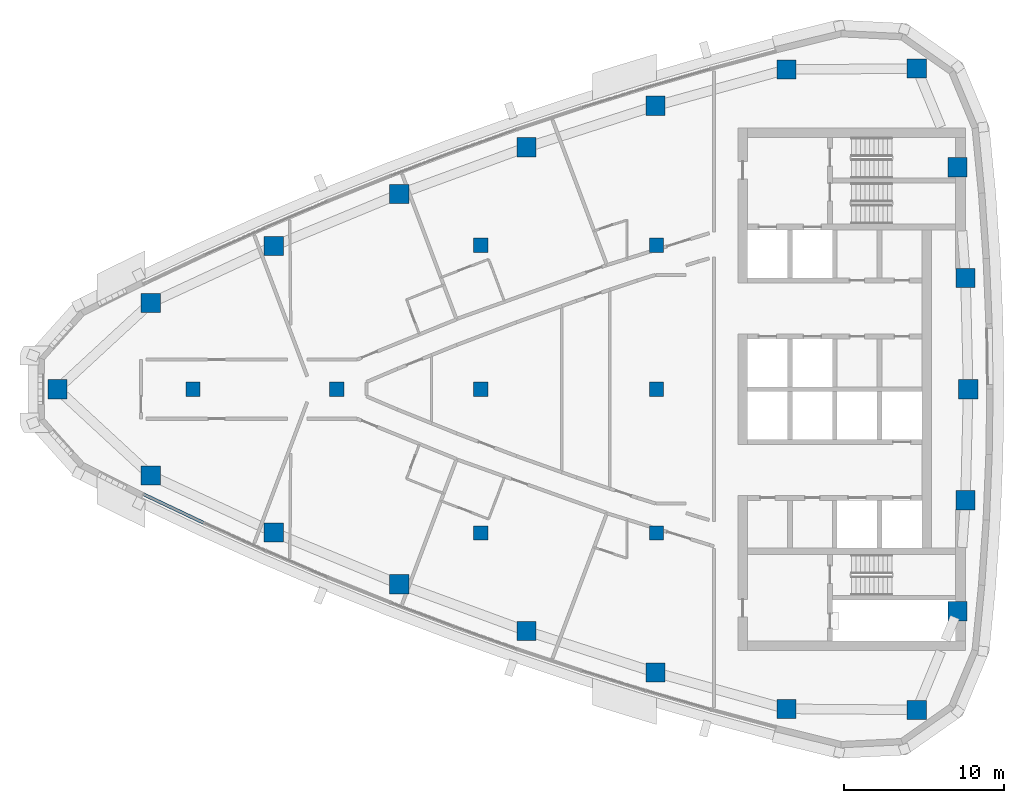
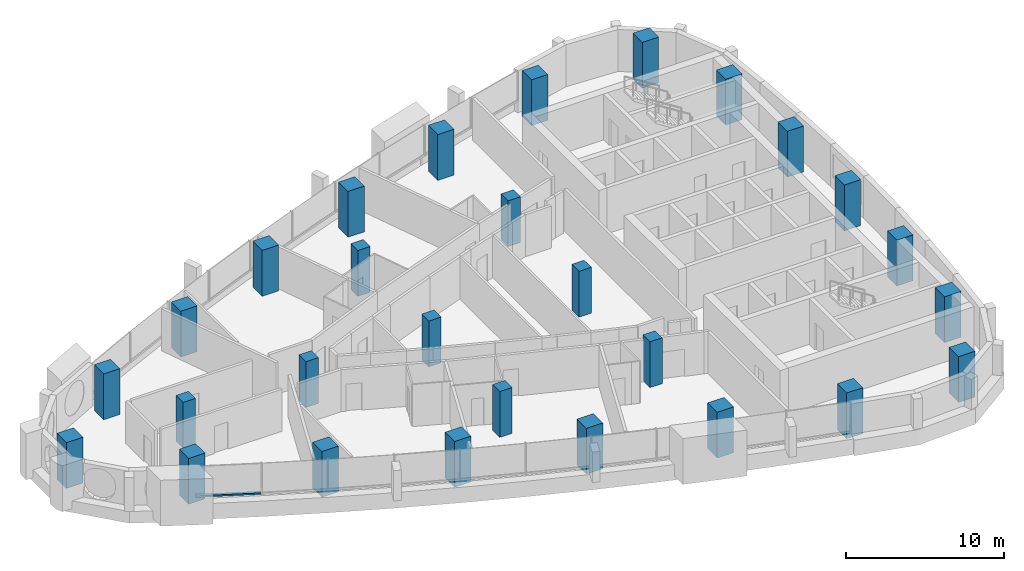
# One storey, part 1 of 15: 28 columns, 1 member, 1 element without a shape of its own.
"""IFC4 building model written with IfcOpenShell, lengths in metres."""

from ifc_helpers import new_model, si_unit, direction, frame, origin, origin_2d, place, context, subcontext, project, spatial, rectangle, extrude, material, layer, layer_set, material_profile, profile_set, type_object, element, aggregate, save


model = new_model("IFC4")

# Units and contexts
model_context = context("Model", 3, precision=1e-05, world=origin(), true_north=direction((0.0, 1.0)))
body_context = subcontext(model_context, "Body", "Model", "MODEL_VIEW")
ifc_project = project(units=[si_unit("LENGTHUNIT", "METRE"), si_unit("AREAUNIT", "SQUARE_METRE"), si_unit("VOLUMEUNIT", "CUBIC_METRE"), si_unit("PLANEANGLEUNIT", "RADIAN"), si_unit("MASSUNIT", "GRAM", prefix="KILO")], contexts=[model_context])

# Site, building, storey
site_placement = place(None, origin())
site = spatial("IfcSite", under=ifc_project, at=site_placement, CompositionType="ELEMENT")
building_placement = place(site_placement, origin())
building = spatial("IfcBuilding", under=site, at=building_placement, Name="Ostrand Prow Hotel Tower", CompositionType="ELEMENT")
storey_placement = place(building_placement, frame((0.0, 0.0, 231.449951171875)))
storey = spatial("IfcBuildingStorey", under=building, at=storey_placement, Name="L58", CompositionType="ELEMENT", Elevation=231.449951171875)

# Columns
ifc_material_1 = material(Name="Concrete C50/60", Category="concrete")
ifc_material_profile_1 = material_profile(ifc_material_1, rectangle(XDim=0.89990234375, YDim=0.89990234375, at=origin_2d()), Name="RC 900x900")
ifc_profile_set_1 = profile_set([ifc_material_profile_1], Name="Concrete C50/60")
column_type_1 = type_object("IfcColumnType", Name="Interior column 900x900 C50/60", PredefinedType="COLUMN", material=ifc_profile_set_1)
for number, where, z_axis, x_axis, name in (
    (1, (16.0, 0.0, 0.0), (0.0, 0.0, 1.0), (1.0, 0.0, 0.0), "Interior column 16C0"),
    (2, (25.0, 0.0, 0.0), (0.0, 0.0, 1.0), (1.0, 0.0, 0.0), "Interior column 25C0"),
    (3, (34.0, -9.0, 0.0), (0.0, 0.0, 1.0), (1.0, 0.0, 0.0), "Interior column 34S9"),
    (4, (34.0, 0.0, 0.0), (0.0, 0.0, 1.0), (1.0, 0.0, 0.0), "Interior column 34C0"),
    (5, (34.0, 9.0, 0.0), (0.0, 0.0, 1.0), (1.0, 0.0, 0.0), "Interior column 34N9"),
    (6, (45.0, -9.0, 0.0), (0.0, 0.0, 1.0), (1.0, 0.0, 0.0), "Interior column 45S9"),
    (7, (45.0, 0.0, 0.0), (0.0, 0.0, 1.0), (1.0, 0.0, 0.0), "Interior column 45C0"),
    (8, (45.0, 9.0, 0.0), (0.0, 0.0, 1.0), (1.0, 0.0, 0.0), "Interior column 45N9"),
):
    element("IfcColumn", number, at=place(storey_placement, frame(where, z_axis=z_axis, x_axis=x_axis)), inside=storey, type_object=column_type_1, Name=name, PredefinedType="COLUMN", context=body_context, shape_type="SweptSolid", body=[
        extrude(rectangle(XDim=0.89990234375, YDim=0.89990234375, at=origin_2d()), origin(), (0.0, 0.0, 1.0), 3.550048828125),
    ])
ifc_material_2 = material(Name="Concrete C50/60", Category="concrete")
ifc_material_profile_2 = material_profile(ifc_material_2, rectangle(XDim=1.199951171875, YDim=1.199951171875, at=origin_2d()), Name="RC 1200x1200")
ifc_profile_set_2 = profile_set([ifc_material_profile_2], Name="Concrete C50/60")
column_type_2 = type_object("IfcColumnType", Name="Stone-faced mega column 1200x1200 C50/60", PredefinedType="COLUMN", material=ifc_profile_set_2)
for number, where, z_axis, x_axis, name in (
    (9, (7.513916015625, 0.0, 0.0), (0.0, 0.0, 1.0), (1.0, 0.0, 0.0), "Mega column P"),
    (10, (13.356201171875, -5.392822265625, 0.0), (0.0, 0.0, 1.0), (1.0, 0.0, 0.0), "Mega column S1"),
    (11, (21.05859375, -8.95751953125, 0.0), (0.0, 0.0, 1.0), (1.0, 0.0, 0.0), "Mega column S2"),
    (12, (28.900146484375, -12.205322265625, 0.0), (0.0, 0.0, 1.0), (1.0, 0.0, 0.0), "Mega column S3"),
    (13, (36.8671875, -15.131591796875, 0.0), (0.0, 0.0, 1.0), (1.0, 0.0, 0.0), "Mega column S4"),
    (14, (44.94677734375, -17.731201171875, 0.0), (0.0, 0.0, 1.0), (1.0, 0.0, 0.0), "Mega column S5"),
    (15, (53.12548828125, -19.99951171875, 0.0), (0.0, 0.0, 1.0), (1.0, 0.0, 0.0), "Mega column S6"),
    (16, (61.283935546875, -20.06201171875, 0.0), (0.0, 0.0, 1.0), (1.0, 0.0, 0.0), "Mega column SE"),
    (17, (63.826416015625, -13.887939453125, 0.0), (0.0, 0.0, 1.0), (1.0, 0.0, 0.0), "Mega column B1"),
    (18, (64.33154296875, -6.9521484375, 0.0), (0.0, 0.0, 1.0), (1.0, 0.0, 0.0), "Mega column B2"),
    (19, (64.5, 0.0, 0.0), (0.0, 0.0, 1.0), (1.0, 0.0, 0.0), "Mega column B3"),
    (20, (64.33154296875, 6.9521484375, 0.0), (0.0, 0.0, 1.0), (1.0, 0.0, 0.0), "Mega column B4"),
    (21, (63.826416015625, 13.887939453125, 0.0), (0.0, 0.0, 1.0), (1.0, 0.0, 0.0), "Mega column B5"),
    (22, (61.283935546875, 20.06201171875, 0.0), (0.0, 0.0, 1.0), (1.0, 0.0, 0.0), "Mega column NE"),
    (23, (53.12548828125, 19.99951171875, 0.0), (0.0, 0.0, 1.0), (1.0, 0.0, 0.0), "Mega column N1"),
    (24, (44.94677734375, 17.731201171875, 0.0), (0.0, 0.0, 1.0), (1.0, 0.0, 0.0), "Mega column N2"),
    (25, (36.8671875, 15.131591796875, 0.0), (0.0, 0.0, 1.0), (1.0, 0.0, 0.0), "Mega column N3"),
    (26, (28.900146484375, 12.205322265625, 0.0), (0.0, 0.0, 1.0), (1.0, 0.0, 0.0), "Mega column N4"),
    (27, (21.05859375, 8.95751953125, 0.0), (0.0, 0.0, 1.0), (1.0, 0.0, 0.0), "Mega column N5"),
    (28, (13.356201171875, 5.392822265625, 0.0), (0.0, 0.0, 1.0), (1.0, 0.0, 0.0), "Mega column N6"),
):
    element("IfcColumn", number, at=place(storey_placement, frame(where, z_axis=z_axis, x_axis=x_axis)), inside=storey, type_object=column_type_2, Name=name, PredefinedType="COLUMN", context=body_context, shape_type="SweptSolid", body=[
        extrude(rectangle(XDim=1.199951171875, YDim=1.199951171875, at=origin_2d()), origin(), (0.0, 0.0, 1.0), 3.550048828125),
    ])

# Curtain wall, member
ifc_material_3 = material(Name="Insulated glass in bronze anodised frame", Category="glass")
ifc_layer = layer(ifc_material_3, 0.199951171875)
ifc_layer_set = layer_set([ifc_layer], Name="Insulated glass in bronze anodised frame")
curtain_wall_type = type_object("IfcCurtainWallType", Name="Strip curtain wall, fritted glass over bronze spandrel", PredefinedType="NOTDEFINED", material=ifc_layer_set)
curtain_wall_placement = place(storey_placement, origin())
curtain_wall = element("IfcCurtainWall", 29, at=curtain_wall_placement, inside=storey, type_object=curtain_wall_type, Name="CW1 run CWS1", PredefinedType="NOTDEFINED")
ifc_material_4 = material(Name="Bronze anodised aluminium", Category="aluminium")
ifc_material_profile_3 = material_profile(ifc_material_4, rectangle(XDim=0.199951171875, YDim=0.1201171875, at=origin_2d()), Name="Transom 120x200 bronze anodised aluminium")
ifc_profile_set_3 = profile_set([ifc_material_profile_3], Name="Bronze anodised aluminium")
member_type = type_object("IfcMemberType", Name="Transom 120x200 bronze anodised aluminium", PredefinedType="USERDEFINED", material=ifc_profile_set_3)
member_placement = place(storey_placement, frame((12.92041015625, -6.583740234375, 0.9599609375), z_axis=(0.903364977925, -0.428872611226, 0.0), x_axis=(0.428872611226, 0.903364977925, 0.0)))
member = element("IfcMember", 30, at=member_placement, type_object=member_type, Name="CW1 transom 1.1", ObjectType="TRANSOM", PredefinedType="USERDEFINED", context=body_context, shape_type="SweptSolid", body=[
    extrude(rectangle(XDim=0.199951171875, YDim=0.1201171875, at=origin_2d()), origin(), (0.0, 0.0, 1.0), 4.16357421875),
])
aggregate(curtain_wall, [member])

save(model, "model.ifc")
